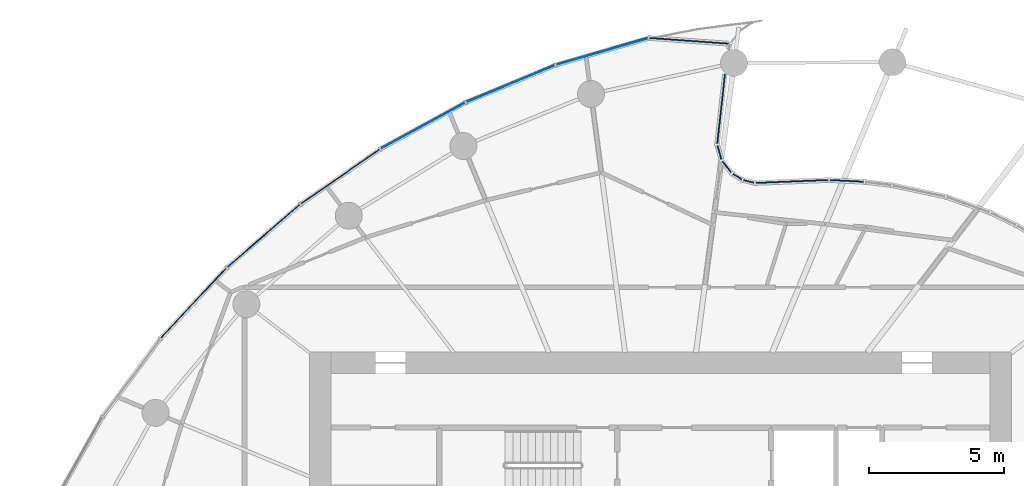
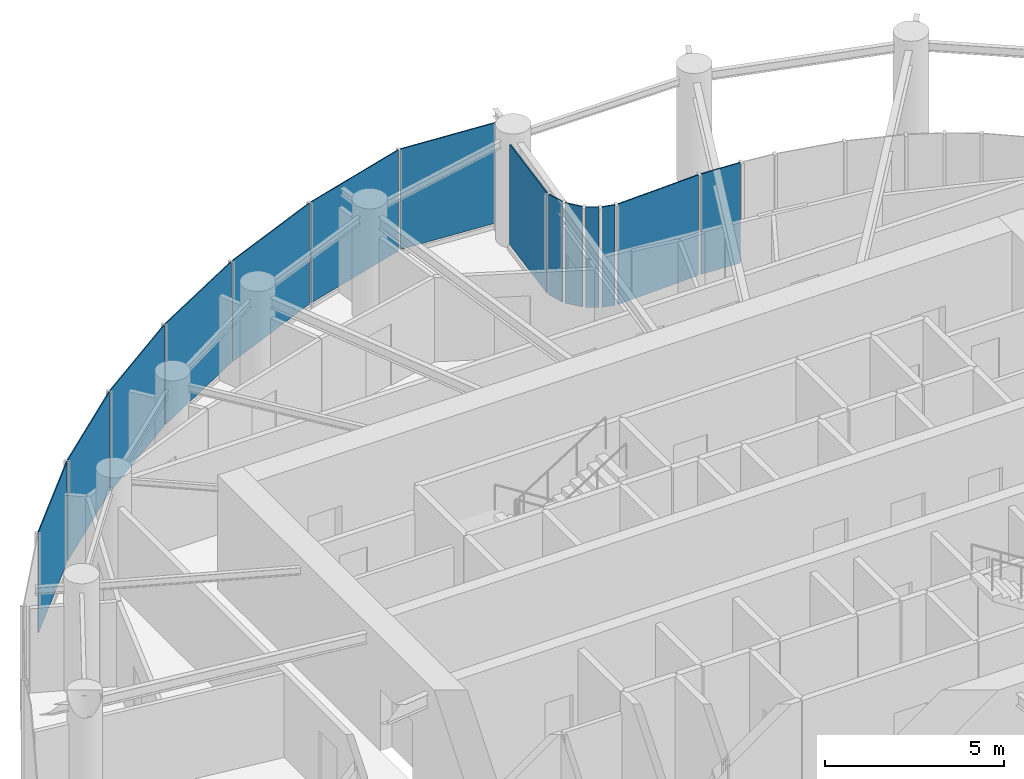
# One storey, part 11 of 19: 14 plates, 3 elements without a shape of their own.
"""IFC4 building model written with IfcOpenShell, lengths in metres."""

from ifc_helpers import new_model, si_unit, direction, frame, origin, origin_2d, place, context, subcontext, project, spatial, rectangle, extrude, source, transform, mapped, material, layer, layer_set, type_object, element, aggregate, save


model = new_model("IFC4")

# Units and contexts
model_context = context("Model", 3, precision=1e-05, world=origin(), true_north=direction((0.0, 1.0)))
body_context = subcontext(model_context, "Body", "Model", "MODEL_VIEW")
ifc_project = project(units=[si_unit("LENGTHUNIT", "METRE"), si_unit("AREAUNIT", "SQUARE_METRE"), si_unit("VOLUMEUNIT", "CUBIC_METRE"), si_unit("PLANEANGLEUNIT", "RADIAN"), si_unit("MASSUNIT", "GRAM", prefix="KILO")], contexts=[model_context])

# Site, building, storey
site_placement = place(None, origin())
site = spatial("IfcSite", under=ifc_project, at=site_placement, CompositionType="ELEMENT")
building_placement = place(site_placement, origin())
building = spatial("IfcBuilding", under=site, at=building_placement, Name="Spindrift Exchange Tower", CompositionType="ELEMENT")
storey_placement = place(building_placement, frame((0.0, 0.0, 137.0)))
storey = spatial("IfcBuildingStorey", under=building, at=storey_placement, Name="L32", CompositionType="ELEMENT", Elevation=137.0)

# Curtain wall, plates
ifc_material_1 = material(Name="Fritted laminated glass with bronze frame", Category="glass")
ifc_layer_1 = layer(ifc_material_1, 0.199951171875)
ifc_layer_set_1 = layer_set([ifc_layer_1], Name="SKY GARDEN BRONZE GLAZED WALL")
curtain_wall_type_1 = type_object("IfcCurtainWallType", Name="SKY GARDEN BRONZE GLAZED WALL", PredefinedType="NOTDEFINED", material=ifc_layer_set_1)
curtain_wall_1_placement = place(storey_placement, origin())
curtain_wall_1 = element("IfcCurtainWall", 1, at=curtain_wall_1_placement, inside=storey, type_object=curtain_wall_type_1, Name="L32 Sky Garden Bronze Glazed Wall run 10", PredefinedType="NOTDEFINED")
ifc_material_2 = material(Name="Bronze tinted laminated glass, clear vision", Category="glass")
ifc_layer_2 = layer(ifc_material_2, 0.0380859375)
ifc_layer_set_2 = layer_set([ifc_layer_2], Name="SKY GARDEN BRONZE GLAZED WALL PANEL CLEAR 1200")
plate_type_1 = type_object("IfcPlateType", Name="SKY GARDEN BRONZE GLAZED WALL PANEL CLEAR 1200", PredefinedType="CURTAIN_PANEL", material=ifc_layer_set_2)
shared_shape_1 = source(origin(), body_context, "Body", "SweptSolid", [
    extrude(rectangle(XDim=2.66455078125, YDim=0.0380859375, at=origin_2d()), origin(), (0.0, 0.0, 1.0), 3.429931640625),
])
plate_1_placement = place(storey_placement, frame((56.8671875, 64.314453125, 0.14990234375), z_axis=(0.0, 0.0, 1.0), x_axis=(-0.999184770634, -0.040370708862, 0.0)))
plate_1 = element("IfcPlate", 2, at=plate_1_placement, type_object=plate_type_1, Name="L32 panel CW-G.55", PredefinedType="CURTAIN_PANEL", context=body_context, shape_type="MappedRepresentation", body=[
    mapped(shared_shape_1, transform((0.0, 0.0, 0.0), scale=1.0)),
])
ifc_layer_3 = layer(ifc_material_2, 0.0380859375)
ifc_layer_set_3 = layer_set([ifc_layer_3], Name="SKY GARDEN BRONZE GLAZED WALL PANEL CLEAR 1560")
plate_type_2 = type_object("IfcPlateType", Name="SKY GARDEN BRONZE GLAZED WALL PANEL CLEAR 1560", PredefinedType="CURTAIN_PANEL", material=ifc_layer_set_3)
shared_shape_2 = source(origin(), body_context, "Body", "SweptSolid", [
    extrude(rectangle(XDim=0.380615234375, YDim=0.0380859375, at=origin_2d()), origin(), (0.0, 0.0, 1.0), 3.429931640625),
])
plate_2_placement = place(storey_placement, frame((55.267822265625, 64.316162109375, 0.14990234375), z_axis=(0.0, 0.0, 1.0), x_axis=(-0.969469321225, 0.245212632633, 0.0)))
plate_2 = element("IfcPlate", 3, at=plate_2_placement, type_object=plate_type_2, Name="L32 panel CW-G.56", PredefinedType="CURTAIN_PANEL", context=body_context, shape_type="MappedRepresentation", body=[
    mapped(shared_shape_2, transform((0.0, 0.0, 0.0), scale=1.0)),
])
ifc_layer_4 = layer(ifc_material_2, 0.0380859375)
ifc_layer_set_4 = layer_set([ifc_layer_4], Name="SKY GARDEN BRONZE GLAZED WALL PANEL CLEAR 1920")
plate_type_3 = type_object("IfcPlateType", Name="SKY GARDEN BRONZE GLAZED WALL PANEL CLEAR 1920", PredefinedType="CURTAIN_PANEL", material=ifc_layer_set_4)
shared_shape_3 = source(origin(), body_context, "Body", "SweptSolid", [
    extrude(rectangle(XDim=0.375732421875, YDim=0.0380859375, at=origin_2d()), origin(), (0.0, 0.0, 1.0), 3.429931640625),
])
plate_3_placement = place(storey_placement, frame((54.845458984375, 64.4931640625, 0.14990234375), z_axis=(0.0, 0.0, 1.0), x_axis=(-0.853678078463, 0.520801054485, 0.0)))
plate_3 = element("IfcPlate", 4, at=plate_3_placement, type_object=plate_type_3, Name="L32 panel CW-G.57", PredefinedType="CURTAIN_PANEL", context=body_context, shape_type="MappedRepresentation", body=[
    mapped(shared_shape_3, transform((0.0, 0.0, 0.0), scale=1.0)),
])

curtain_wall_2_placement = place(storey_placement, origin())
curtain_wall_2 = element("IfcCurtainWall", 5, at=curtain_wall_2_placement, inside=storey, type_object=curtain_wall_type_1, Name="L32 Sky Garden Bronze Glazed Wall run 11", PredefinedType="NOTDEFINED")
shared_shape_4 = source(origin(), body_context, "Body", "SweptSolid", [
    extrude(rectangle(XDim=0.527587890625, YDim=0.0380859375, at=origin_2d()), origin(), (0.0, 0.0, 1.0), 3.429931640625),
])
plate_4_placement = place(storey_placement, frame((54.18212890625, 65.38623046875, 0.14990234375), z_axis=(0.0, 0.0, 1.0), x_axis=(-0.273556341412, 0.961855980942, 0.0)))
plate_4 = element("IfcPlate", 6, at=plate_4_placement, type_object=plate_type_1, Name="L32 panel CW-G.59", PredefinedType="CURTAIN_PANEL", context=body_context, shape_type="MappedRepresentation", body=[
    mapped(shared_shape_4, transform((0.0, 0.0, 0.0), scale=1.0)),
])
shared_shape_5 = source(origin(), body_context, "Body", "SweptSolid", [
    extrude(rectangle(XDim=0.527587890625, YDim=0.0380859375, at=origin_2d()), origin(), (0.0, 0.0, 1.0), 3.429931640625),
])
plate_5_placement = place(storey_placement, frame((54.457275390625, 64.852294921875, 0.14990234375), z_axis=(0.0, 0.0, 1.0), x_axis=(-0.624854378216, 0.780741318251, 0.0)))
plate_5 = element("IfcPlate", 7, at=plate_5_placement, type_object=plate_type_3, Name="L32 panel CW-G.58", PredefinedType="CURTAIN_PANEL", context=body_context, shape_type="MappedRepresentation", body=[
    mapped(shared_shape_5, transform((0.0, 0.0, 0.0), scale=1.0)),
])
shared_shape_6 = source(origin(), body_context, "Body", "SweptSolid", [
    extrude(rectangle(XDim=2.93701171875, YDim=0.0380859375, at=origin_2d()), origin(), (0.0, 0.0, 1.0), 3.429931640625),
])
plate_6_placement = place(storey_placement, frame((53.0751953125, 69.521240234375, 0.14990234375), z_axis=(0.0, 0.0, 1.0), x_axis=(-0.997389995185, 0.072202475755, 0.0)))
plate_6 = element("IfcPlate", 8, at=plate_6_placement, type_object=plate_type_1, Name="L32 panel CW-G.62", PredefinedType="CURTAIN_PANEL", context=body_context, shape_type="MappedRepresentation", body=[
    mapped(shared_shape_6, transform((0.0, 0.0, 0.0), scale=1.0)),
])

ifc_layer_5 = layer(ifc_material_1, 0.179931640625)
ifc_layer_set_5 = layer_set([ifc_layer_5], Name="ZONE 3 BRONZE FRITTED WALL")
curtain_wall_type_2 = type_object("IfcCurtainWallType", Name="ZONE 3 BRONZE FRITTED WALL", PredefinedType="NOTDEFINED", material=ifc_layer_set_5)
curtain_wall_3_placement = place(storey_placement, origin())
curtain_wall_3 = element("IfcCurtainWall", 9, at=curtain_wall_3_placement, inside=storey, type_object=curtain_wall_type_2, Name="L32 Zone 3 Bronze Fritted Wall run 1", PredefinedType="NOTDEFINED")
ifc_material_3 = material(Name="Bronze fritted laminated glass, open frit", Category="glass")
ifc_layer_6 = layer(ifc_material_3, 0.031982421875)
ifc_layer_set_6 = layer_set([ifc_layer_6], Name="ZONE 3 BRONZE FRITTED WALL PANEL OPEN FRIT 360")
plate_type_4 = type_object("IfcPlateType", Name="ZONE 3 BRONZE FRITTED WALL PANEL OPEN FRIT 360", PredefinedType="CURTAIN_PANEL", material=ifc_layer_set_6)
shared_shape_7 = source(origin(), body_context, "Body", "SweptSolid", [
    extrude(rectangle(XDim=3.530517578125, YDim=0.031982421875, at=origin_2d()), origin(), (0.0, 0.0, 1.0), 3.449951171875),
])
plate_7_placement = place(storey_placement, frame((49.839111328125, 69.129150390625, 0.1298828125), z_axis=(0.0, 0.0, 1.0), x_axis=(-0.960466847857, -0.278394386021, 0.0)))
plate_7 = element("IfcPlate", 10, at=plate_7_placement, type_object=plate_type_4, Name="L32 panel CW-3.1", PredefinedType="CURTAIN_PANEL", context=body_context, shape_type="MappedRepresentation", body=[
    mapped(shared_shape_7, transform((0.0, 0.0, 0.0), scale=1.0)),
])
ifc_layer_7 = layer(ifc_material_3, 0.031982421875)
ifc_layer_set_7 = layer_set([ifc_layer_7], Name="ZONE 3 BRONZE FRITTED WALL PANEL OPEN FRIT 600")
plate_type_5 = type_object("IfcPlateType", Name="ZONE 3 BRONZE FRITTED WALL PANEL OPEN FRIT 600", PredefinedType="CURTAIN_PANEL", material=ifc_layer_set_7)
shared_shape_8 = source(origin(), body_context, "Body", "SweptSolid", [
    extrude(rectangle(XDim=3.53076171875, YDim=0.031982421875, at=origin_2d()), origin(), (0.0, 0.0, 1.0), 3.449951171875),
])
plate_8_placement = place(storey_placement, frame((46.447021484375, 67.93798828125, 0.1298828125), z_axis=(0.0, 0.0, 1.0), x_axis=(-0.923652949802, -0.383229994027, 0.0)))
plate_8 = element("IfcPlate", 11, at=plate_8_placement, type_object=plate_type_5, Name="L32 panel CW-3.2", PredefinedType="CURTAIN_PANEL", context=body_context, shape_type="MappedRepresentation", body=[
    mapped(shared_shape_8, transform((0.0, 0.0, 0.0), scale=1.0)),
])
plate_9_placement = place(storey_placement, frame((37.298095703125, 62.298583984375, 0.1298828125), z_axis=(0.0, 0.0, 1.0), x_axis=(-0.757914634791, -0.652353743278, 0.0)))
plate_9 = element("IfcPlate", 12, at=plate_9_placement, type_object=plate_type_5, Name="L32 panel CW-3.5", PredefinedType="CURTAIN_PANEL", context=body_context, shape_type="MappedRepresentation", body=[
    mapped(shared_shape_8, transform((0.0, 0.0, 0.0), scale=1.0)),
])
shared_shape_9 = source(origin(), body_context, "Body", "SweptSolid", [
    extrude(rectangle(XDim=3.531005859375, YDim=0.031982421875, at=origin_2d()), origin(), (0.0, 0.0, 1.0), 3.449951171875),
])
plate_10_placement = place(storey_placement, frame((43.2041015625, 66.384765625, 0.1298828125), z_axis=(0.0, 0.0, 1.0), x_axis=(-0.877531429107, -0.479519124675, 0.0)))
plate_10 = element("IfcPlate", 13, at=plate_10_placement, type_object=plate_type_5, Name="L32 panel CW-3.3", PredefinedType="CURTAIN_PANEL", context=body_context, shape_type="MappedRepresentation", body=[
    mapped(shared_shape_9, transform((0.0, 0.0, 0.0), scale=1.0)),
])
shared_shape_10 = source(origin(), body_context, "Body", "SweptSolid", [
    extrude(rectangle(XDim=3.531005859375, YDim=0.031982421875, at=origin_2d()), origin(), (0.0, 0.0, 1.0), 3.449951171875),
])
plate_11_placement = place(storey_placement, frame((40.143310546875, 64.497314453125, 0.1298828125), z_axis=(0.0, 0.0, 1.0), x_axis=(-0.822443988033, -0.568846100934, 0.0)))
plate_11 = element("IfcPlate", 14, at=plate_11_placement, type_object=plate_type_4, Name="L32 panel CW-3.4", PredefinedType="CURTAIN_PANEL", context=body_context, shape_type="MappedRepresentation", body=[
    mapped(shared_shape_10, transform((0.0, 0.0, 0.0), scale=1.0)),
])
shared_shape_11 = source(origin(), body_context, "Body", "SweptSolid", [
    extrude(rectangle(XDim=3.53076171875, YDim=0.031982421875, at=origin_2d()), origin(), (0.0, 0.0, 1.0), 3.449951171875),
])
plate_12_placement = place(storey_placement, frame((34.704345703125, 59.80859375, 0.1298828125), z_axis=(0.0, 0.0, 1.0), x_axis=(-0.682689892345, -0.730708225552, 0.0)))
plate_12 = element("IfcPlate", 15, at=plate_12_placement, type_object=plate_type_4, Name="L32 panel CW-3.6", PredefinedType="CURTAIN_PANEL", context=body_context, shape_type="MappedRepresentation", body=[
    mapped(shared_shape_11, transform((0.0, 0.0, 0.0), scale=1.0)),
])
aggregate(curtain_wall_3, [plate_7, plate_8, plate_10, plate_11, plate_9, plate_12])

# Plate
shared_shape_12 = source(origin(), body_context, "Body", "SweptSolid", [
    extrude(rectangle(XDim=1.231201171875, YDim=0.0380859375, at=origin_2d()), origin(), (0.0, 0.0, 1.0), 3.429931640625),
])
plate_13_placement = place(storey_placement, frame((58.898193359375, 64.336181640625, 0.14990234375), z_axis=(0.0, 0.0, 1.0), x_axis=(-0.998668351136, 0.051589964529, 0.0)))
plate_13 = element("IfcPlate", 16, at=plate_13_placement, type_object=plate_type_3, Name="L32 panel CW-G.54", PredefinedType="CURTAIN_PANEL", context=body_context, shape_type="MappedRepresentation", body=[
    mapped(shared_shape_12, transform((0.0, 0.0, 0.0), scale=1.0)),
])

aggregate(curtain_wall_1, [plate_13, plate_1, plate_2, plate_3])

shared_shape_13 = source(origin(), body_context, "Body", "SweptSolid", [
    extrude(rectangle(XDim=2.57080078125, YDim=0.0380859375, at=origin_2d()), origin(), (0.0, 0.0, 1.0), 3.429931640625),
])
plate_14_placement = place(storey_placement, frame((54.244384765625, 67.00048828125, 0.14990234375), z_axis=(0.0, 0.0, 1.0), x_axis=(0.109947687624, 0.993937375284, 0.0)))
plate_14 = element("IfcPlate", 17, at=plate_14_placement, type_object=plate_type_2, Name="L32 panel CW-G.60", PredefinedType="CURTAIN_PANEL", context=body_context, shape_type="MappedRepresentation", body=[
    mapped(shared_shape_13, transform((0.0, 0.0, 0.0), scale=1.0)),
])

aggregate(curtain_wall_2, [plate_5, plate_4, plate_14, plate_6])

save(model, "model.ifc")
